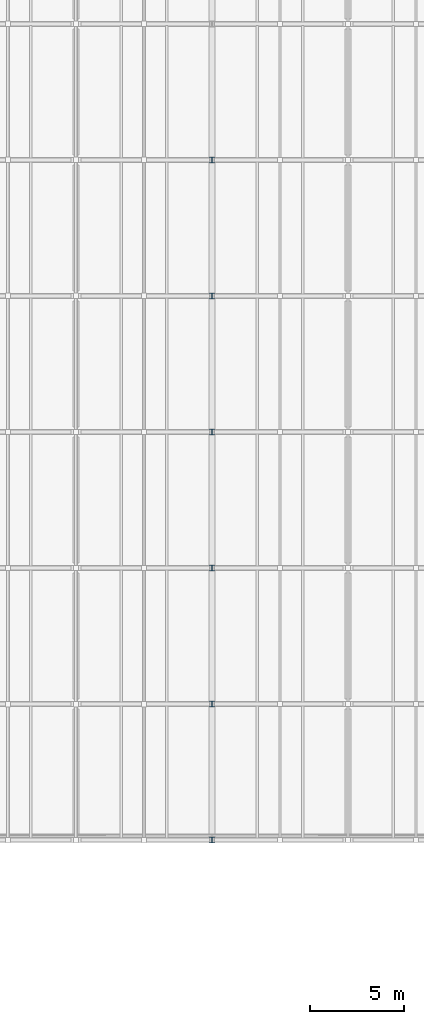
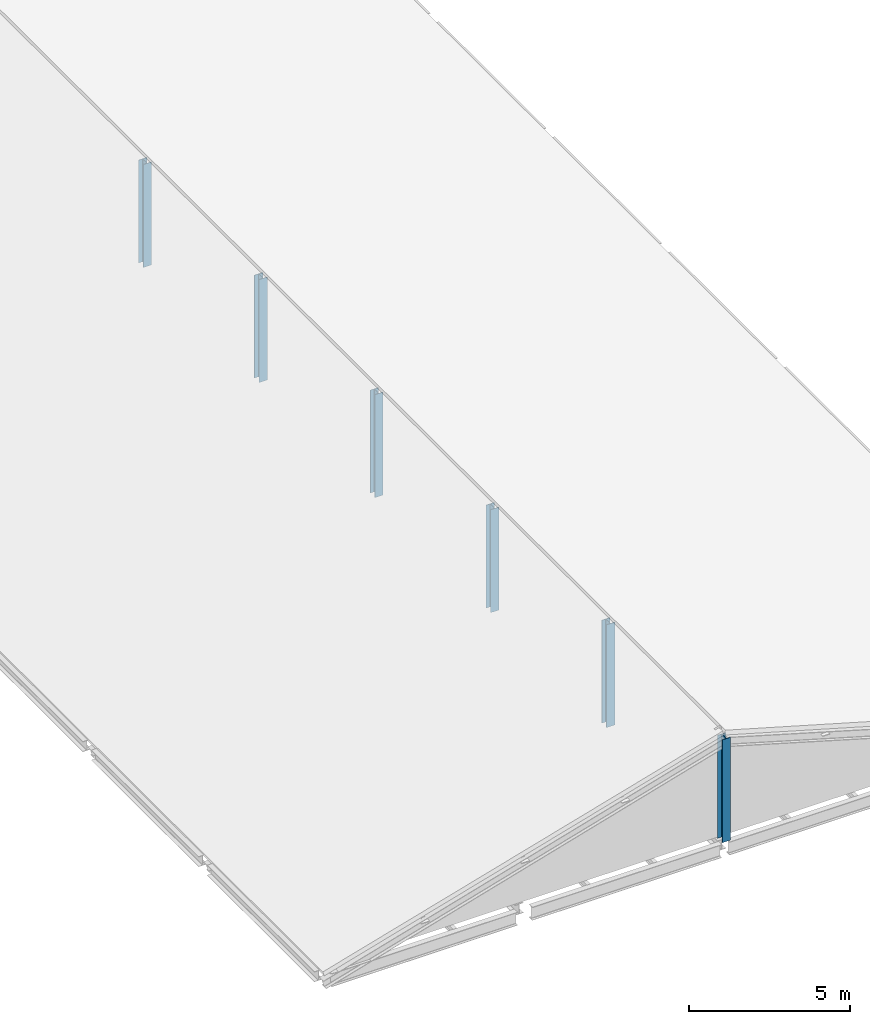
# One storey, part 2 of 32: 6 columns.
"""IFC4 building model written with IfcOpenShell, lengths in metres."""

from ifc_helpers import new_model, si_unit, direction, frame, origin, origin_2d, place, context, subcontext, project, spatial, i_section, extrude, material, material_profile, profile_set, type_object, element, save


model = new_model("IFC4")

# Units and contexts
model_context = context("Model", 3, precision=1e-05, world=origin(), true_north=direction((0.0, 1.0)))
body_context = subcontext(model_context, "Body", "Model", "MODEL_VIEW")
ifc_project = project(units=[si_unit("LENGTHUNIT", "METRE"), si_unit("AREAUNIT", "SQUARE_METRE"), si_unit("VOLUMEUNIT", "CUBIC_METRE"), si_unit("PLANEANGLEUNIT", "RADIAN"), si_unit("MASSUNIT", "GRAM", prefix="KILO")], contexts=[model_context])

# Site, building, storey
site_placement = place(None, origin())
site = spatial("IfcSite", under=ifc_project, at=site_placement, CompositionType="ELEMENT")
building_placement = place(site_placement, origin())
building = spatial("IfcBuilding", under=site, at=building_placement, Name="Qiaolan Assembly House", CompositionType="ELEMENT")
storey_placement = place(building_placement, frame((0.0, 0.0, 18.60009765625)))
storey = spatial("IfcBuildingStorey", under=building, at=storey_placement, Name="L04", CompositionType="ELEMENT", Elevation=18.60009765625)

# Columns
ifc_material = material(Name="Steel Q355B", Category="steel")
ifc_material_profile = material_profile(ifc_material, i_section(OverallWidth=0.300048828125, OverallDepth=0.300048828125, WebThickness=0.010009765625, FlangeThickness=0.014892578125, FilletRadius=0.01806640625, at=origin_2d()), Name="HW 300x300x10x15")
ifc_profile_set = profile_set([ifc_material_profile], Name="Steel Q355B")
column_type = type_object("IfcColumnType", Name="COL-STL-HW300", PredefinedType="COLUMN", material=ifc_profile_set)
for number, where, z_axis, x_axis, name in (
    (1, (158.39990234375, 28.800048828125, 0.0), (0.0, 0.0, 1.0), (1.0, 0.0, 0.0), "SC-08 library roof ridge post L04"),
    (2, (158.39990234375, 36.0, 0.0), (0.0, 0.0, 1.0), (1.0, 0.0, 0.0), "SC-08 library roof ridge post L04"),
    (3, (158.39990234375, 43.199951171875, 0.0), (0.0, 0.0, 1.0), (1.0, 0.0, 0.0), "SC-08 library roof ridge post L04"),
    (4, (158.39990234375, 50.39990234375, 0.0), (0.0, 0.0, 1.0), (1.0, 0.0, 0.0), "SC-08 library roof ridge post L04"),
    (5, (158.39990234375, 57.60009765625, 0.0), (0.0, 0.0, 1.0), (1.0, 0.0, 0.0), "SC-08 library roof ridge post L04"),
    (6, (158.39990234375, 64.800048828125, 0.0), (0.0, 0.0, 1.0), (1.0, 0.0, 0.0), "SC-08 library roof ridge post L04"),
):
    element("IfcColumn", number, at=place(storey_placement, frame(where, z_axis=z_axis, x_axis=x_axis)), inside=storey, type_object=column_type, Name=name, PredefinedType="COLUMN", context=body_context, shape_type="SweptSolid", body=[
        extrude(i_section(OverallWidth=0.300048828125, OverallDepth=0.300048828125, WebThickness=0.010009765625, FlangeThickness=0.014892578125, FilletRadius=0.01806640625, at=origin_2d()), origin(), (0.0, 0.0, 1.0), 3.906982421875),
    ])

save(model, "model.ifc")
